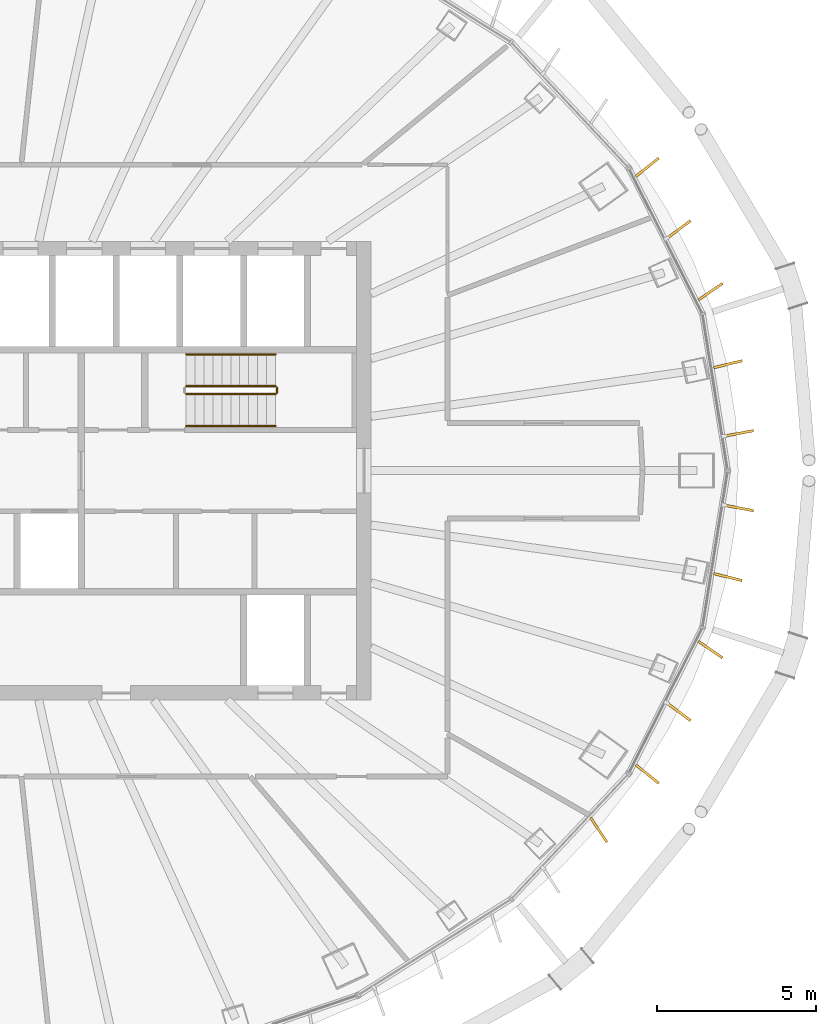
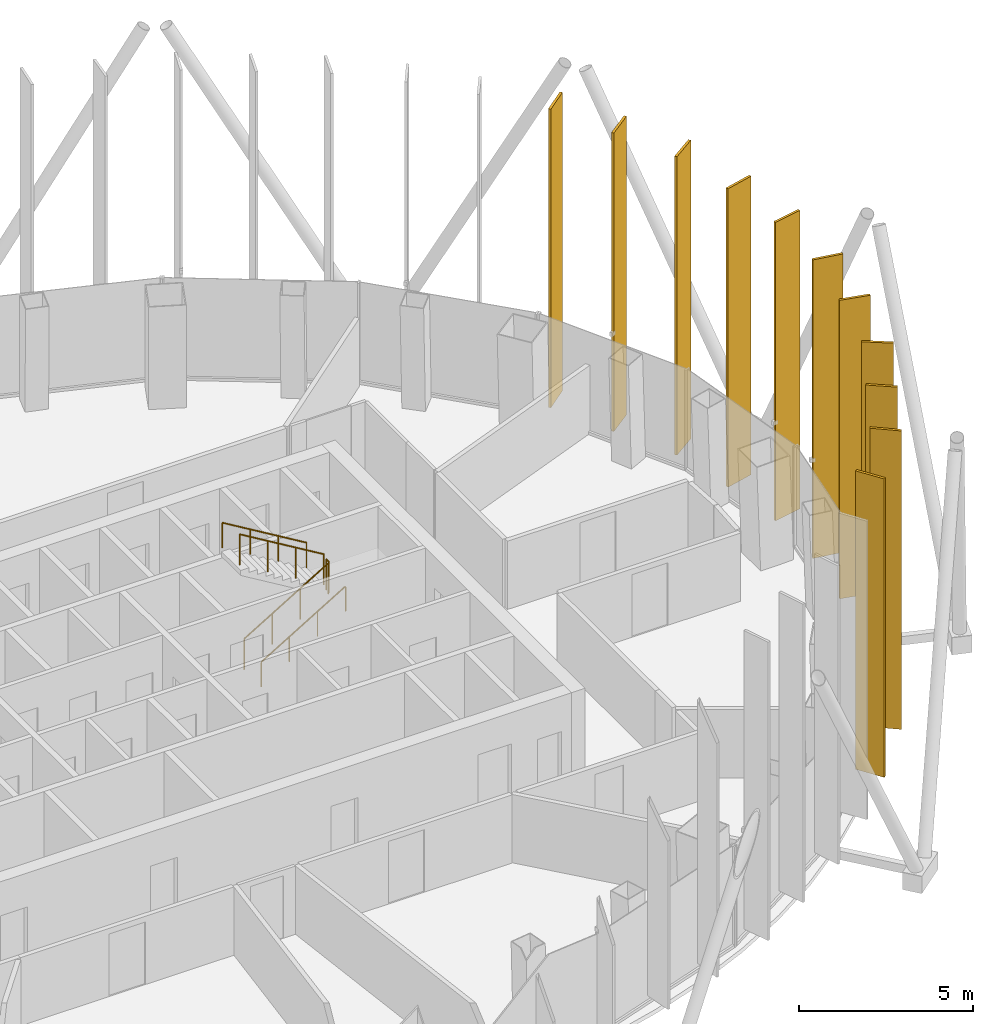
# One storey, part 18 of 19: 11 shading devices, 5 railings.
"""IFC4 building model written with IfcOpenShell, lengths in metres."""

import ifcopenshell
import ifcopenshell.guid

model = None  # the IFC model being written
_history = None  # IfcOwnerHistory: only IFC2X3 demands one
_inside = {}  # id of a spatial element -> (the spatial element, [elements in it])
_under = {}  # id of a project, library or spatial element -> (it, [spatial elements below it])
_declared = {}  # id of a project -> (the project, [libraries it declares])
_typed = {}  # id of a type object -> (the type object, [elements of that type])
_made_of = {}  # id of a material, layer set ... -> (it, [elements and type objects made of it])


def new_model(schema):
    """Start an empty IFC model of exactly this schema.

    Asked for "IFC4X3", IfcOpenShell would pick the latest addendum, in which some entities
    have other attributes; the version numbers below select the first issue.
    IFC2X3 requires an IfcOwnerHistory on every rooted entity: one is made here for all.
    """
    global model, _history
    if schema == "IFC4X3":
        model = ifcopenshell.file(schema_version=(4, 3, 0, 0))
    else:
        model = ifcopenshell.file(schema=schema)
    _inside.clear()
    _under.clear()
    _declared.clear()
    _typed.clear()
    _made_of.clear()
    _history = None
    if model.schema == "IFC2X3":
        org = make("IfcOrganization", Name="unknown")
        user = make(
            "IfcPersonAndOrganization",
            ThePerson=make("IfcPerson", FamilyName="unknown"),
            TheOrganization=org,
        )
        app = make(
            "IfcApplication",
            ApplicationDeveloper=org,
            Version="unknown",
            ApplicationFullName="unknown",
            ApplicationIdentifier="unknown",
        )
        _history = make(
            "IfcOwnerHistory",
            OwningUser=user,
            OwningApplication=app,
            ChangeAction="ADDED",
            CreationDate=0,
        )
    return model


def make(cls, **values):
    """One entity of the class cls with the attributes given. An attribute that is None is left unset."""
    return model.create_entity(
        cls, **{name: value for name, value in values.items() if value is not None}
    )


def rooted(cls, **values):
    """An entity with a GlobalId (a new one), such as an element, a storey or a relation."""
    return make(cls, GlobalId=ifcopenshell.guid.new(), OwnerHistory=_history, **values)


def si_unit(unit_type, name, prefix=None):
    """IfcSIUnit, for example si_unit("LENGTHUNIT", "METRE", prefix="MILLI")."""
    return make("IfcSIUnit", UnitType=unit_type, Prefix=prefix, Name=name)


def assignment(units):
    """IfcUnitAssignment: the units of a project."""
    return None if units is None else make("IfcUnitAssignment", Units=units)


def point(xyz):
    """IfcCartesianPoint."""
    return None if xyz is None else make("IfcCartesianPoint", Coordinates=xyz)


def direction(xyz):
    """IfcDirection."""
    return None if xyz is None else make("IfcDirection", DirectionRatios=xyz)


def frame(location, z_axis=None, x_axis=None):
    """IfcAxis2Placement3D, a coordinate frame: its origin and axes. An axis left out is left unset."""
    return make(
        "IfcAxis2Placement3D",
        Location=point(location),
        Axis=direction(z_axis),
        RefDirection=direction(x_axis),
    )


def frame_2d(location, x_axis=None):
    """IfcAxis2Placement2D, a coordinate frame in the plane: its origin and x axis."""
    return make(
        "IfcAxis2Placement2D", Location=point(location), RefDirection=direction(x_axis)
    )


def origin():
    """The frame at (0, 0, 0) with its axes left unset."""
    return frame((0.0, 0.0, 0.0))


def origin_2d():
    """The frame at (0, 0) in the plane with its x axis left unset."""
    return frame_2d((0.0, 0.0))


def place(relative_to, where):
    """IfcLocalPlacement: puts the frame where relative to a parent placement (None: the world)."""
    return make(
        "IfcLocalPlacement", PlacementRelTo=relative_to, RelativePlacement=where
    )


def context(
    kind, dimensions, precision=None, world=None, true_north=None, identifier=None
):
    """IfcGeometricRepresentationContext, for example the 3D "Model" context."""
    return make(
        "IfcGeometricRepresentationContext",
        ContextIdentifier=identifier,
        ContextType=kind,
        CoordinateSpaceDimension=dimensions,
        Precision=precision,
        WorldCoordinateSystem=world,
        TrueNorth=true_north,
    )


def subcontext(parent, identifier, kind, view, scale=None):
    """IfcGeometricRepresentationSubContext, for example "Body" below "Model"."""
    return make(
        "IfcGeometricRepresentationSubContext",
        ContextIdentifier=identifier,
        ContextType=kind,
        ParentContext=parent,
        TargetScale=scale,
        TargetView=view,
    )


def project(units=None, contexts=None):
    """IfcProject with its units and contexts."""
    return rooted(
        "IfcProject",
        Name="project",
        RepresentationContexts=contexts,
        UnitsInContext=assignment(units),
    )


def spatial(cls, under=None, at=None, **own):
    """A site, building, storey or space (cls), placed at a placement, below another one or the project."""
    s = rooted(cls, ObjectPlacement=at, **own)
    if under is not None:
        _under.setdefault(under.id(), (under, []))[1].append(s)
    return s


def profile(cls, at=None, kind="AREA", **sizes):
    """A parametric profile (cls). Its sizes go by their IFC names, for example OverallWidth=200.0."""
    return make(cls, ProfileType=kind, Position=at, **sizes)


def rectangle(**sizes):
    """IfcRectangleProfileDef."""
    return profile("IfcRectangleProfileDef", **sizes)


def circle(**sizes):
    """IfcCircleProfileDef."""
    return profile("IfcCircleProfileDef", **sizes)


def extrude(swept, where, along, depth):
    """IfcExtrudedAreaSolid: the profile swept, set in the frame where, extruded along a direction by depth."""
    return make(
        "IfcExtrudedAreaSolid",
        SweptArea=swept,
        Position=where,
        ExtrudedDirection=direction(along),
        Depth=depth,
    )


def shape(context_of_items, identifier, shape_type, items):
    """IfcShapeRepresentation: the items that make up one representation, for example the "Body"."""
    return make(
        "IfcShapeRepresentation",
        ContextOfItems=context_of_items,
        RepresentationIdentifier=identifier,
        RepresentationType=shape_type,
        Items=items,
    )


def material(Name=None, Category=None):
    """IfcMaterial."""
    return make("IfcMaterial", Name=Name, Category=Category)


def layer(
    of_material, thickness, ventilated=None, Name=None, Category=None, Priority=None
):
    """IfcMaterialLayer: one layer of a wall or slab, of a material (None: an air gap)."""
    return make(
        "IfcMaterialLayer",
        Material=of_material,
        LayerThickness=thickness,
        IsVentilated=ventilated,
        Name=Name,
        Category=Category,
        Priority=Priority,
    )


def layer_set(layers, Name=None):
    """IfcMaterialLayerSet."""
    return make("IfcMaterialLayerSet", MaterialLayers=layers, LayerSetName=Name)


def made_of(thing, what):
    """Note that an element or type object is made of a material, layer set ...; save() writes the relation."""
    if what is not None:
        _made_of.setdefault(what.id(), (what, []))[1].append(thing)
    return thing


def type_object(cls, material=None, **own):
    """A type object (cls), such as IfcWallType, which elements share."""
    return made_of(rooted(cls, **own), material)


def element(
    cls,
    number,
    at=None,
    inside=None,
    cuts=None,
    type_object=None,
    material=None,
    context=None,
    identifier="Body",
    shape_type=None,
    held_by="IfcProductDefinitionShape",
    body=None,
    shapes=None,
    **own,
):
    """One element of the class cls, such as IfcWall. Its Tag is "e" and its number.

    at: its placement. inside: the storey or other place that contains it. cuts: it is an
    opening in that element (IfcRelVoidsElement). A single representation is given by context,
    identifier, shape_type and body (its items); several are given by shapes. held_by: the class
    of the entity that holds the representations. save() writes the other relations.
    """
    e = rooted(cls, Tag="e%d" % number, ObjectPlacement=at, **own)
    if body is not None:
        shapes = [shape(context, identifier, shape_type, body)]
    if shapes is not None:
        e.Representation = make(held_by, Representations=shapes)
    if inside is not None:
        _inside.setdefault(inside.id(), (inside, []))[1].append(e)
    if cuts is not None:
        rooted(
            "IfcRelVoidsElement", RelatingBuildingElement=cuts, RelatedOpeningElement=e
        )
    if type_object is not None:
        _typed.setdefault(type_object.id(), (type_object, []))[1].append(e)
    return made_of(e, material)


def aggregate(whole, parts):
    """IfcRelAggregates: a whole, such as a stair, and the parts it consists of."""
    return rooted("IfcRelAggregates", RelatingObject=whole, RelatedObjects=parts)


def save(model, path):
    """Write the relations noted so far, then the file.

    IfcRelAggregates (storeys below a building ...), IfcRelContainedInSpatialStructure (elements
    in a storey), IfcRelDefinesByType, IfcRelAssociatesMaterial and IfcRelDeclares: one each for
    every whole, place, type object, material and project.
    """
    for whole, parts in _under.values():
        aggregate(whole, parts)
    for where, things in _inside.values():
        rooted(
            "IfcRelContainedInSpatialStructure",
            RelatedElements=things,
            RelatingStructure=where,
        )
    for kind, things in _typed.values():
        rooted("IfcRelDefinesByType", RelatedObjects=things, RelatingType=kind)
    for what, things in _made_of.values():
        rooted("IfcRelAssociatesMaterial", RelatedObjects=things, RelatingMaterial=what)
    for by, libraries in _declared.values():
        rooted("IfcRelDeclares", RelatingContext=by, RelatedDefinitions=libraries)
    model.write(path)


model = new_model("IFC4")

# Units and contexts
model_context = context("Model", 3, precision=1e-05, world=origin(), true_north=direction((0.0, 1.0)))
body_context = subcontext(model_context, "Body", "Model", "MODEL_VIEW")
ifc_project = project(units=[si_unit("LENGTHUNIT", "METRE"), si_unit("AREAUNIT", "SQUARE_METRE"), si_unit("VOLUMEUNIT", "CUBIC_METRE"), si_unit("PLANEANGLEUNIT", "RADIAN"), si_unit("MASSUNIT", "GRAM", prefix="KILO")], contexts=[model_context])

# Site, building, storey
site_placement = place(None, origin())
site = spatial("IfcSite", under=ifc_project, at=site_placement, CompositionType="ELEMENT")
building_placement = place(site_placement, origin())
building = spatial("IfcBuilding", under=site, at=building_placement, Name="Siaravel Broadcast Tower", CompositionType="ELEMENT")
storey_placement = place(building_placement, frame((0.0, 0.0, 179.300048828125)))
storey = spatial("IfcBuildingStorey", under=building, at=storey_placement, Name="L43", CompositionType="ELEMENT", Elevation=179.300048828125)

# Shading devices
ifc_material_1 = material(Name="Bronze anodised aluminium", Category="aluminium")
ifc_layer = layer(ifc_material_1, 0.080078125)
ifc_layer_set = layer_set([ifc_layer], Name="Bronze anodised aluminium")
shading_device_type = type_object("IfcShadingDeviceType", Name="Bronze fin zone 3", PredefinedType="USERDEFINED", material=ifc_layer_set)
for number, where, z_axis, x_axis, name in (
    (1, (23.551025390625, 1.17041015625, 0.300048828125), (0.0, 0.0, 1.0), (0.982554419, 0.185975303, 0.0), "Bronze fin L43-01"),
    (2, (23.200927734375, 3.340087890625, 0.300048828125), (0.0, 0.0, 1.0), (0.970969603, 0.239202906, 0.0), "Bronze fin L43-02"),
    (3, (22.6513671875, 5.615234375, 0.300048828125), (0.0, 0.0, 1.0), (0.82540526, 0.56454066, 0.0), "Bronze fin L43-03"),
    (4, (21.65966796875, 7.56982421875, 0.300048828125), (0.0, 0.0, 1.0), (0.800926836, 0.598762227, 0.0), "Bronze fin L43-04"),
    (5, (20.669921875, 9.52099609375, 0.300048828125), (0.0, 0.0, 1.0), (0.780402034, 0.62527807, 0.0), "Bronze fin L43-05"),
    (6, (19.148681640625, -11.276123046875, 0.300048828125), (0.0, 0.0, 1.0), (0.554832811, -0.831961869, 0.0), "Bronze fin L43-56"),
    (7, (20.669921875, -9.52099609375, 0.300048828125), (0.0, 0.0, 1.0), (0.780402034, -0.62527807, 0.0), "Bronze fin L43-57"),
    (8, (21.65966796875, -7.56982421875, 0.300048828125), (0.0, 0.0, 1.0), (0.800926836, -0.598762227, 0.0), "Bronze fin L43-58"),
    (9, (22.6513671875, -5.615234375, 0.300048828125), (0.0, 0.0, 1.0), (0.82540526, -0.56454066, 0.0), "Bronze fin L43-59"),
    (10, (23.200927734375, -3.340087890625, 0.300048828125), (0.0, 0.0, 1.0), (0.970969603, -0.239202906, 0.0), "Bronze fin L43-60"),
    (11, (23.551025390625, -1.17041015625, 0.300048828125), (0.0, 0.0, 1.0), (0.982554419, -0.185975303, 0.0), "Bronze fin L43-61"),
):
    element("IfcShadingDevice", number, at=place(storey_placement, frame(where, z_axis=z_axis, x_axis=x_axis)), inside=storey, type_object=shading_device_type, Name=name, ObjectType="FIN", PredefinedType="USERDEFINED", context=body_context, shape_type="SweptSolid", body=[
        extrude(rectangle(XDim=0.919921875, YDim=0.080078125, at=origin_2d()), origin(), (0.0, 0.0, 1.0), 10.5),
    ])

# Railings
ifc_material_2 = material(Name="Stainless steel 316L", Category="steel")
railing_type_1 = type_object("IfcRailingType", Name="Stair guard 1100", PredefinedType="GUARDRAIL", material=ifc_material_2)
railing_1_placement = place(storey_placement, frame((6.199951171875, 2.39990234375, 0.168212890625)))
element("IfcRailing", 12, at=railing_1_placement, inside=storey, type_object=railing_type_1, Name="L43 ST-2 stair guard 1", PredefinedType="GUARDRAIL", context=body_context, shape_type="SweptSolid", body=[
    extrude(circle(Radius=0.02392578125, at=origin_2d()), frame((0.0, 0.0, 1.076171875), z_axis=(0.857275203, 0.0, 0.514858453), x_axis=(0.0, 1.0, 0.0)), (0.0, 0.0, 1.0), 3.26611328125),
    extrude(circle(Radius=0.02099609375, at=origin_2d()), origin(), (0.0, 0.0, 1.0), 1.052001953125),
    extrude(circle(Radius=0.02099609375, at=origin_2d()), frame((0.933349609375, 0.0, 0.560546875)), (0.0, 0.0, 1.0), 1.052001953125),
    extrude(circle(Radius=0.02099609375, at=origin_2d()), frame((1.86669921875, 0.0, 1.12109375)), (0.0, 0.0, 1.0), 1.052001953125),
    extrude(circle(Radius=0.02099609375, at=origin_2d()), frame((2.800048828125, 0.0, 1.681640625)), (0.0, 0.0, 1.0), 1.052001953125),
])
railing_2_placement = place(storey_placement, frame((9.050048828125, 2.449951171875, 1.849853515625)))
element("IfcRailing", 13, at=railing_2_placement, inside=storey, type_object=railing_type_1, Name="L43 ST-2 stair guard 2", PredefinedType="GUARDRAIL", context=body_context, shape_type="SweptSolid", body=[
    extrude(circle(Radius=0.02392578125, at=origin_2d()), frame((0.0, 0.0, 1.076171875), z_axis=(0.0, 1.0, 0.0), x_axis=(-1.0, 0.0, 0.0)), (0.0, 0.0, 1.0), 0.150146484375),
    extrude(circle(Radius=0.02099609375, at=origin_2d()), origin(), (0.0, 0.0, 1.0), 1.052001953125),
    extrude(circle(Radius=0.02099609375, at=origin_2d()), frame((0.0, 0.150146484375, 0.0)), (0.0, 0.0, 1.0), 1.052001953125),
])
railing_3_placement = place(storey_placement, frame((9.0, 2.64990234375, 2.01806640625)))
element("IfcRailing", 14, at=railing_3_placement, inside=storey, type_object=railing_type_1, Name="L43 ST-2 stair guard 3", PredefinedType="GUARDRAIL", context=body_context, shape_type="SweptSolid", body=[
    extrude(circle(Radius=0.02392578125, at=origin_2d()), frame((0.0, 0.0, 1.076171875), z_axis=(-0.857242211, 0.0, 0.514913383), x_axis=(0.0, -1.0, 0.0)), (0.0, 0.0, 1.0), 3.266357421875),
    extrude(circle(Radius=0.02099609375, at=origin_2d()), origin(), (0.0, 0.0, 1.0), 1.052001953125),
    extrude(circle(Radius=0.02099609375, at=origin_2d()), frame((-0.933349609375, 0.0, 0.560546875)), (0.0, 0.0, 1.0), 1.052001953125),
    extrude(circle(Radius=0.02099609375, at=origin_2d()), frame((-1.86669921875, 0.0, 1.121337890625)), (0.0, 0.0, 1.0), 1.052001953125),
    extrude(circle(Radius=0.02099609375, at=origin_2d()), frame((-2.800048828125, 0.0, 1.681884765625)), (0.0, 0.0, 1.0), 1.052001953125),
])
railing_type_2 = type_object("IfcRailingType", Name="Stair handrail 900", PredefinedType="HANDRAIL", material=ifc_material_2)
railing_4_placement = place(storey_placement, frame((6.199951171875, 1.39990234375, 0.168212890625)))
element("IfcRailing", 15, at=railing_4_placement, inside=storey, type_object=railing_type_2, Name="L43 ST-2 stair handrail 1", PredefinedType="HANDRAIL", context=body_context, shape_type="SweptSolid", body=[
    extrude(circle(Radius=0.02392578125, at=origin_2d()), frame((0.0, 0.0, 0.8759765625), z_axis=(0.857275203, 0.0, 0.514858453), x_axis=(0.0, 1.0, 0.0)), (0.0, 0.0, 1.0), 3.26611328125),
    extrude(circle(Radius=0.02099609375, at=origin_2d()), origin(), (0.0, 0.0, 1.0), 0.851806640625),
    extrude(circle(Radius=0.02099609375, at=origin_2d()), frame((0.933349609375, 0.0, 0.560546875)), (0.0, 0.0, 1.0), 0.851806640625),
    extrude(circle(Radius=0.02099609375, at=origin_2d()), frame((1.86669921875, 0.0, 1.12109375)), (0.0, 0.0, 1.0), 0.851806640625),
    extrude(circle(Radius=0.02099609375, at=origin_2d()), frame((2.800048828125, 0.0, 1.681640625)), (0.0, 0.0, 1.0), 0.851806640625),
])
railing_5_placement = place(storey_placement, frame((9.0, 3.64990234375, 2.01806640625)))
element("IfcRailing", 16, at=railing_5_placement, inside=storey, type_object=railing_type_2, Name="L43 ST-2 stair handrail 2", PredefinedType="HANDRAIL", context=body_context, shape_type="SweptSolid", body=[
    extrude(circle(Radius=0.02392578125, at=origin_2d()), frame((0.0, 0.0, 0.8759765625), z_axis=(-0.857242211, 0.0, 0.514913383), x_axis=(0.0, -1.0, 0.0)), (0.0, 0.0, 1.0), 3.266357421875),
    extrude(circle(Radius=0.02099609375, at=origin_2d()), origin(), (0.0, 0.0, 1.0), 0.851806640625),
    extrude(circle(Radius=0.02099609375, at=origin_2d()), frame((-0.933349609375, 0.0, 0.560546875)), (0.0, 0.0, 1.0), 0.851806640625),
    extrude(circle(Radius=0.02099609375, at=origin_2d()), frame((-1.86669921875, 0.0, 1.121337890625)), (0.0, 0.0, 1.0), 0.851806640625),
    extrude(circle(Radius=0.02099609375, at=origin_2d()), frame((-2.800048828125, 0.0, 1.681884765625)), (0.0, 0.0, 1.0), 0.851806640625),
])

save(model, "model.ifc")
